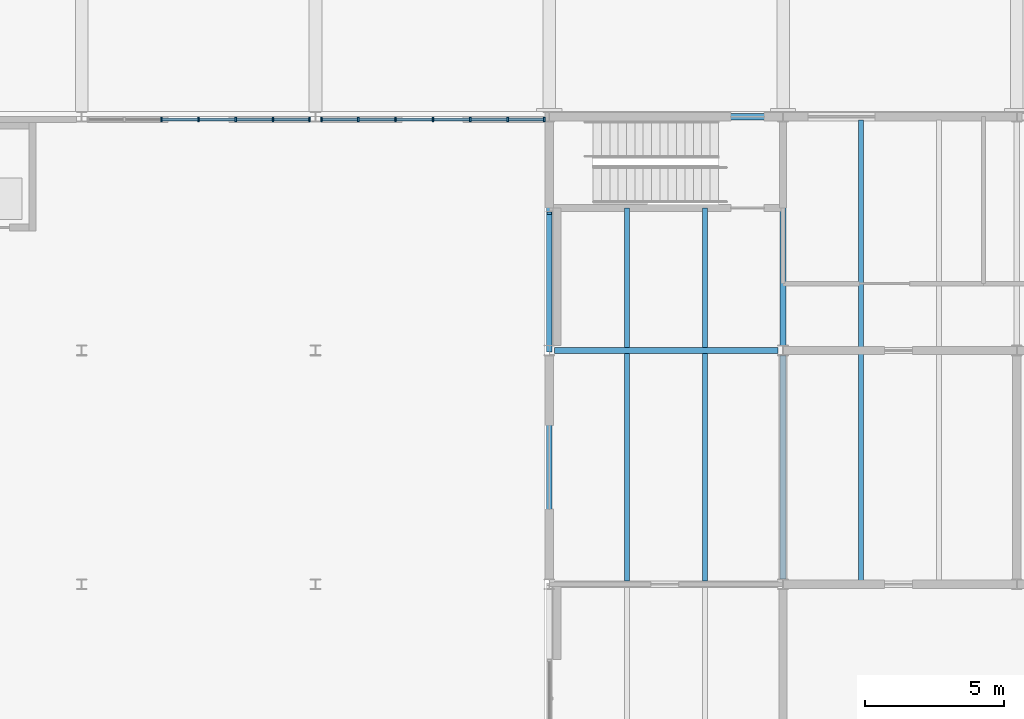
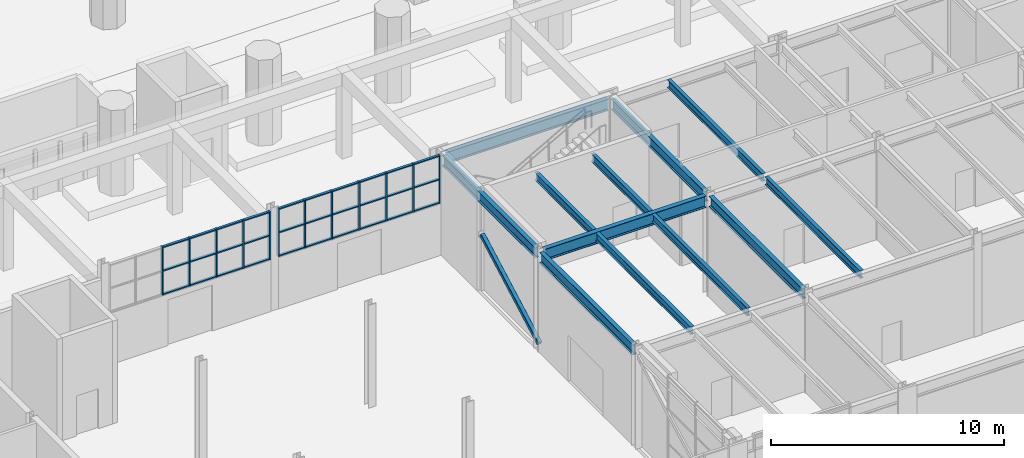
# One storey, part 42 of 127: 43 members, 12 beams, 2 elements without a shape of their own.
"""IFC4 building model written with IfcOpenShell, lengths in metres."""

from ifc_helpers import new_model, si_unit, direction, frame, origin, origin_2d, place, context, subcontext, project, spatial, rectangle, hollow_rectangle, i_section, extrude, material, material_profile, profile_set, type_object, element, aggregate, save


model = new_model("IFC4")

# Units and contexts
model_context = context("Model", 3, precision=1e-05, world=origin(), true_north=direction((0.0, 1.0)))
body_context = subcontext(model_context, "Body", "Model", "MODEL_VIEW")
ifc_project = project(units=[si_unit("LENGTHUNIT", "METRE"), si_unit("AREAUNIT", "SQUARE_METRE"), si_unit("VOLUMEUNIT", "CUBIC_METRE"), si_unit("PLANEANGLEUNIT", "RADIAN"), si_unit("MASSUNIT", "GRAM", prefix="KILO")], contexts=[model_context])

# Site, building, storey
site_placement = place(None, origin())
site = spatial("IfcSite", under=ifc_project, at=site_placement, CompositionType="ELEMENT")
building_placement = place(site_placement, origin())
building = spatial("IfcBuilding", under=site, at=building_placement, Name="Ljudholm Concert House", CompositionType="ELEMENT")
storey_placement = place(building_placement, origin())
storey = spatial("IfcBuildingStorey", under=building, at=storey_placement, Name="L00", CompositionType="ELEMENT", Elevation=0.0)

# Curtain wall, members
ifc_material_1 = material(Name="Aluminium curtain wall with impact-rated laminated glass", Category="aluminium")
curtain_wall_type = type_object("IfcCurtainWallType", Name="CURTAIN WALL 1400", PredefinedType="NOTDEFINED", material=ifc_material_1)
curtain_wall_1_placement = place(storey_placement, origin())
curtain_wall_1 = element("IfcCurtainWall", 1, at=curtain_wall_1_placement, inside=storey, type_object=curtain_wall_type, Name="North curtain wall", PredefinedType="NOTDEFINED")
ifc_material_2 = material(Name="Aluminium extrusion", Category="aluminium")
ifc_material_profile_1 = material_profile(ifc_material_2, rectangle(XDim=0.159912109375, YDim=0.06005859375, at=origin_2d()), Name="MULLION 60x160")
ifc_profile_set_1 = profile_set([ifc_material_profile_1], Name="Aluminium extrusion")
member_type_1 = type_object("IfcMemberType", Name="MULLION 60x160", PredefinedType="MULLION", material=ifc_profile_set_1)
member_1_placement = place(storey_placement, frame((40.46337890625, 129.89990234375, 2.699951171875), z_axis=(0.0, 0.0, 1.0), x_axis=(0.0, 1.0, 0.0)))
member_1 = element("IfcMember", 2, at=member_1_placement, type_object=member_type_1, Name="Mullion", PredefinedType="MULLION", context=body_context, shape_type="SweptSolid", body=[
    extrude(rectangle(XDim=0.159912109375, YDim=0.06005859375, at=origin_2d()), origin(), (0.0, 0.0, 1.0), 2.52001953125),
])
member_2_placement = place(storey_placement, frame((41.800048828125, 129.89990234375, 2.699951171875), z_axis=(0.0, 0.0, 1.0), x_axis=(0.0, 1.0, 0.0)))
member_2 = element("IfcMember", 3, at=member_2_placement, type_object=member_type_1, Name="Mullion", PredefinedType="MULLION", context=body_context, shape_type="SweptSolid", body=[
    extrude(rectangle(XDim=0.159912109375, YDim=0.06005859375, at=origin_2d()), origin(), (0.0, 0.0, 1.0), 2.52001953125),
])
member_3_placement = place(storey_placement, frame((43.13671875, 129.89990234375, 2.699951171875), z_axis=(0.0, 0.0, 1.0), x_axis=(0.0, 1.0, 0.0)))
member_3 = element("IfcMember", 4, at=member_3_placement, type_object=member_type_1, Name="Mullion", PredefinedType="MULLION", context=body_context, shape_type="SweptSolid", body=[
    extrude(rectangle(XDim=0.159912109375, YDim=0.06005859375, at=origin_2d()), origin(), (0.0, 0.0, 1.0), 2.52001953125),
])
member_4_placement = place(storey_placement, frame((44.473388671875, 129.89990234375, 2.699951171875), z_axis=(0.0, 0.0, 1.0), x_axis=(0.0, 1.0, 0.0)))
member_4 = element("IfcMember", 5, at=member_4_placement, type_object=member_type_1, Name="Mullion", PredefinedType="MULLION", context=body_context, shape_type="SweptSolid", body=[
    extrude(rectangle(XDim=0.159912109375, YDim=0.06005859375, at=origin_2d()), origin(), (0.0, 0.0, 1.0), 2.52001953125),
])
member_5_placement = place(storey_placement, frame((45.780029296875, 129.89990234375, 2.699951171875), z_axis=(0.0, 0.0, 1.0), x_axis=(0.0, 1.0, 0.0)))
member_5 = element("IfcMember", 6, at=member_5_placement, type_object=member_type_1, Name="Mullion", PredefinedType="MULLION", context=body_context, shape_type="SweptSolid", body=[
    extrude(rectangle(XDim=0.159912109375, YDim=0.06005859375, at=origin_2d()), origin(), (0.0, 0.0, 1.0), 2.52001953125),
])

curtain_wall_2_placement = place(storey_placement, origin())
curtain_wall_2 = element("IfcCurtainWall", 7, at=curtain_wall_2_placement, inside=storey, type_object=curtain_wall_type, Name="North curtain wall", PredefinedType="NOTDEFINED")
member_6_placement = place(storey_placement, frame((46.219970703125, 129.89990234375, 2.699951171875), z_axis=(0.0, 0.0, 1.0), x_axis=(0.0, 1.0, 0.0)))
member_6 = element("IfcMember", 8, at=member_6_placement, type_object=member_type_1, Name="Mullion", PredefinedType="MULLION", context=body_context, shape_type="SweptSolid", body=[
    extrude(rectangle(XDim=0.159912109375, YDim=0.06005859375, at=origin_2d()), origin(), (0.0, 0.0, 1.0), 2.52001953125),
])
member_7_placement = place(storey_placement, frame((47.533447265625, 129.89990234375, 2.699951171875), z_axis=(0.0, 0.0, 1.0), x_axis=(0.0, 1.0, 0.0)))
member_7 = element("IfcMember", 9, at=member_7_placement, type_object=member_type_1, Name="Mullion", PredefinedType="MULLION", context=body_context, shape_type="SweptSolid", body=[
    extrude(rectangle(XDim=0.159912109375, YDim=0.06005859375, at=origin_2d()), origin(), (0.0, 0.0, 1.0), 2.52001953125),
])
member_8_placement = place(storey_placement, frame((48.876708984375, 129.89990234375, 2.699951171875), z_axis=(0.0, 0.0, 1.0), x_axis=(0.0, 1.0, 0.0)))
member_8 = element("IfcMember", 10, at=member_8_placement, type_object=member_type_1, Name="Mullion", PredefinedType="MULLION", context=body_context, shape_type="SweptSolid", body=[
    extrude(rectangle(XDim=0.159912109375, YDim=0.06005859375, at=origin_2d()), origin(), (0.0, 0.0, 1.0), 2.52001953125),
])
member_9_placement = place(storey_placement, frame((50.219970703125, 129.89990234375, 2.699951171875), z_axis=(0.0, 0.0, 1.0), x_axis=(0.0, 1.0, 0.0)))
member_9 = element("IfcMember", 11, at=member_9_placement, type_object=member_type_1, Name="Mullion", PredefinedType="MULLION", context=body_context, shape_type="SweptSolid", body=[
    extrude(rectangle(XDim=0.159912109375, YDim=0.06005859375, at=origin_2d()), origin(), (0.0, 0.0, 1.0), 2.52001953125),
])
member_10_placement = place(storey_placement, frame((51.563232421875, 129.89990234375, 2.699951171875), z_axis=(0.0, 0.0, 1.0), x_axis=(0.0, 1.0, 0.0)))
member_10 = element("IfcMember", 12, at=member_10_placement, type_object=member_type_1, Name="Mullion", PredefinedType="MULLION", context=body_context, shape_type="SweptSolid", body=[
    extrude(rectangle(XDim=0.159912109375, YDim=0.06005859375, at=origin_2d()), origin(), (0.0, 0.0, 1.0), 2.52001953125),
])
member_11_placement = place(storey_placement, frame((52.90673828125, 129.89990234375, 2.699951171875), z_axis=(0.0, 0.0, 1.0), x_axis=(0.0, 1.0, 0.0)))
member_11 = element("IfcMember", 13, at=member_11_placement, type_object=member_type_1, Name="Mullion", PredefinedType="MULLION", context=body_context, shape_type="SweptSolid", body=[
    extrude(rectangle(XDim=0.159912109375, YDim=0.06005859375, at=origin_2d()), origin(), (0.0, 0.0, 1.0), 2.52001953125),
])
member_12_placement = place(storey_placement, frame((54.219970703125, 129.89990234375, 2.699951171875), z_axis=(0.0, 0.0, 1.0), x_axis=(0.0, 1.0, 0.0)))
member_12 = element("IfcMember", 14, at=member_12_placement, type_object=member_type_1, Name="Mullion", PredefinedType="MULLION", context=body_context, shape_type="SweptSolid", body=[
    extrude(rectangle(XDim=0.159912109375, YDim=0.06005859375, at=origin_2d()), origin(), (0.0, 0.0, 1.0), 2.52001953125),
])

# Beams
ifc_material_3 = material(Name="Steel ASTM A992", Category="steel")
ifc_material_profile_2 = material_profile(ifc_material_3, i_section(OverallWidth=0.177734375, OverallDepth=0.406494140625, WebThickness=0.0078125, FlangeThickness=0.012939453125, FilletRadius=0.01025390625, at=origin_2d()), Name="W16X40")
ifc_profile_set_2 = profile_set([ifc_material_profile_2], Name="Steel ASTM A992")
beam_type_1 = type_object("IfcBeamType", Name="STEEL BEAM W16X40", PredefinedType="BEAM", material=ifc_profile_set_2)
for number, where, z_axis, x_axis, name in (
    (15, (57.199951171875, 113.314453125, 5.016845703125), (0.0, 1.0, 0.0), (-1.0, 0.0, 0.0), "Beam STUDIO-L01-sb-57.2-113.2"),
    (16, (60.0, 113.314453125, 5.016845703125), (0.0, 1.0, 0.0), (-1.0, 0.0, 0.0), "Beam STUDIO-L01-sb-60-113.2"),
):
    element("IfcBeam", number, at=place(storey_placement, frame(where, z_axis=z_axis, x_axis=x_axis)), inside=storey, type_object=beam_type_1, Name=name, PredefinedType="BEAM", context=body_context, shape_type="SweptSolid", body=[
        extrude(i_section(OverallWidth=0.177734375, OverallDepth=0.406494140625, WebThickness=0.0078125, FlangeThickness=0.012939453125, FilletRadius=0.01025390625, at=origin_2d()), origin(), (0.0, 0.0, 1.0), 8.1708984375),
    ])
for number, where, z_axis, x_axis, name in (
    (17, (57.199951171875, 121.714599609375, 5.016845703125), (0.0, 1.0, 0.0), (-1.0, 0.0, 0.0), "Beam STUDIO-L01-sb-57.2-121.6-1"),
    (18, (60.0, 121.714599609375, 5.016845703125), (0.0, 1.0, 0.0), (-1.0, 0.0, 0.0), "Beam STUDIO-L01-sb-60-121.6-1"),
):
    element("IfcBeam", number, at=place(storey_placement, frame(where, z_axis=z_axis, x_axis=x_axis)), inside=storey, type_object=beam_type_1, Name=name, PredefinedType="BEAM", context=body_context, shape_type="SweptSolid", body=[
        extrude(i_section(OverallWidth=0.177734375, OverallDepth=0.406494140625, WebThickness=0.0078125, FlangeThickness=0.012939453125, FilletRadius=0.01025390625, at=origin_2d()), origin(), (0.0, 0.0, 1.0), 5.010498046875),
    ])
for number, where, z_axis, x_axis, name in (
    (19, (65.60009765625, 113.314453125, 5.016845703125), (0.0, 1.0, 0.0), (-1.0, 0.0, 0.0), "Beam STUDIO-L01-sb-65.6-113.2"),
    (20, (65.60009765625, 121.714599609375, 5.016845703125), (0.0, 1.0, 0.0), (-1.0, 0.0, 0.0), "Beam STUDIO-L01-sb-65.6-121.6"),
):
    element("IfcBeam", number, at=place(storey_placement, frame(where, z_axis=z_axis, x_axis=x_axis)), inside=storey, type_object=beam_type_1, Name=name, PredefinedType="BEAM", context=body_context, shape_type="SweptSolid", body=[
        extrude(i_section(OverallWidth=0.177734375, OverallDepth=0.406494140625, WebThickness=0.0078125, FlangeThickness=0.012939453125, FilletRadius=0.01025390625, at=origin_2d()), origin(), (0.0, 0.0, 1.0), 8.1708984375),
    ])
ifc_material_4 = material(Name="Steel ASTM A992", Category="steel")
ifc_material_profile_3 = material_profile(ifc_material_4, i_section(OverallWidth=0.209228515625, OverallDepth=0.533447265625, WebThickness=0.01025390625, FlangeThickness=0.015625, FilletRadius=0.012939453125, at=origin_2d()), Name="W21X62")
ifc_profile_set_3 = profile_set([ifc_material_profile_3], Name="Steel ASTM A992")
beam_type_2 = type_object("IfcBeamType", Name="STEEL BEAM W21X62", PredefinedType="BEAM", material=ifc_profile_set_3)
for number, where, z_axis, x_axis, name in (
    (21, (54.39990234375, 113.38671875, 4.953369140625), (0.0, 1.0, 0.0), (-1.0, 0.0, 0.0), "Beam STUDIO-L01-gy-54.4-113.2"),
    (22, (54.39990234375, 121.78662109375, 4.953369140625), (0.0, 1.0, 0.0), (-1.0, 0.0, 0.0), "Beam STUDIO-L01-gy-54.4-121.6"),
    (23, (62.800048828125, 113.38671875, 4.953369140625), (0.0, 1.0, 0.0), (-1.0, 0.0, 0.0), "Beam STUDIO-L01-gy-62.8-113.2"),
    (24, (62.800048828125, 121.78662109375, 4.953369140625), (0.0, 1.0, 0.0), (-1.0, 0.0, 0.0), "Beam STUDIO-L01-gy-62.8-121.6"),
):
    element("IfcBeam", number, at=place(storey_placement, frame(where, z_axis=z_axis, x_axis=x_axis)), inside=storey, type_object=beam_type_2, Name=name, PredefinedType="BEAM", context=body_context, shape_type="SweptSolid", body=[
        extrude(i_section(OverallWidth=0.209228515625, OverallDepth=0.533447265625, WebThickness=0.01025390625, FlangeThickness=0.015625, FilletRadius=0.012939453125, at=origin_2d()), origin(), (0.0, 0.0, 1.0), 8.026611328125),
    ])
ifc_material_5 = material(Name="Steel ASTM A992", Category="steel")
ifc_material_profile_4 = material_profile(ifc_material_5, i_section(OverallWidth=0.22900390625, OverallDepth=0.612060546875, WebThickness=0.011962890625, FlangeThickness=0.01953125, FilletRadius=0.0126953125, at=origin_2d()), Name="W24X84")
ifc_profile_set_4 = profile_set([ifc_material_profile_4], Name="Steel ASTM A992")
beam_type_3 = type_object("IfcBeamType", Name="STEEL BEAM W24X84", PredefinedType="BEAM", material=ifc_profile_set_4)
for number, where, z_axis, x_axis, name in (
    (25, (54.586669921875, 121.60009765625, 4.913818359375), (1.0, 0.0, 0.0), (0.0, 1.0, 0.0), "Beam STUDIO-L01-gx-54.4-121.6"),
    (26, (54.586669921875, 130.0, 4.913818359375), (1.0, 0.0, 0.0), (0.0, 1.0, 0.0), "Beam STUDIO-L01-gx-54.4-130"),
):
    element("IfcBeam", number, at=place(storey_placement, frame(where, z_axis=z_axis, x_axis=x_axis)), inside=storey, type_object=beam_type_3, Name=name, PredefinedType="BEAM", context=body_context, shape_type="SweptSolid", body=[
        extrude(i_section(OverallWidth=0.22900390625, OverallDepth=0.612060546875, WebThickness=0.011962890625, FlangeThickness=0.01953125, FilletRadius=0.0126953125, at=origin_2d()), origin(), (0.0, 0.0, 1.0), 8.026611328125),
    ])

# Member
ifc_material_6 = material(Name="Steel ASTM A500 Gr. C", Category="steel")
ifc_material_profile_5 = material_profile(ifc_material_6, hollow_rectangle(XDim=0.203125, YDim=0.203125, WallThickness=0.01171875, InnerFilletRadius=0.005859375, OuterFilletRadius=0.017822265625, at=origin_2d()), Name="HSS8X8X1/2")
ifc_profile_set_5 = profile_set([ifc_material_profile_5], Name="Steel ASTM A500 Gr. C")
member_type_2 = type_object("IfcMemberType", Name="STEEL MEMBER HSS8X8X1/2 BRACE", PredefinedType="BRACE", material=ifc_profile_set_5)
member_13_placement = place(storey_placement, frame((54.39990234375, 121.60009765625, 0.300048828125), z_axis=(0.0, 0.876210417482, 0.481928733628), x_axis=(-1.0, 0.0, 0.0)))
element("IfcMember", 27, at=member_13_placement, inside=storey, type_object=member_type_2, Name="Brace", PredefinedType="BRACE", context=body_context, shape_type="SweptSolid", body=[
    extrude(hollow_rectangle(XDim=0.203125, YDim=0.203125, WallThickness=0.01171875, InnerFilletRadius=0.005859375, OuterFilletRadius=0.017822265625, at=origin_2d()), origin(), (0.0, 0.0, 1.0), 5.63232421875),
])

ifc_material_7 = material(Name="Aluminium extrusion", Category="aluminium")
ifc_material_profile_6 = material_profile(ifc_material_7, rectangle(XDim=0.1201171875, YDim=0.06005859375, at=origin_2d()), Name="TRANSOM 60x120")
ifc_profile_set_6 = profile_set([ifc_material_profile_6], Name="Aluminium extrusion")
member_type_3 = type_object("IfcMemberType", Name="TRANSOM 60x120", PredefinedType="USERDEFINED", material=ifc_profile_set_6)
member_14_placement = place(storey_placement, frame((40.493408203125, 129.89990234375, 2.72998046875), z_axis=(1.0, 0.0, 0.0), x_axis=(0.0, 1.0, 0.0)))
member_14 = element("IfcMember", 28, at=member_14_placement, type_object=member_type_3, Name="Transom", ObjectType="TRANSOM", PredefinedType="USERDEFINED", context=body_context, shape_type="SweptSolid", body=[
    extrude(rectangle(XDim=0.1201171875, YDim=0.06005859375, at=origin_2d()), origin(), (0.0, 0.0, 1.0), 1.276611328125),
])

member_15_placement = place(storey_placement, frame((40.493408203125, 129.89990234375, 3.9599609375), z_axis=(1.0, 0.0, 0.0), x_axis=(0.0, 1.0, 0.0)))
member_15 = element("IfcMember", 29, at=member_15_placement, type_object=member_type_3, Name="Transom", ObjectType="TRANSOM", PredefinedType="USERDEFINED", context=body_context, shape_type="SweptSolid", body=[
    extrude(rectangle(XDim=0.1201171875, YDim=0.06005859375, at=origin_2d()), origin(), (0.0, 0.0, 1.0), 1.276611328125),
])

member_16_placement = place(storey_placement, frame((40.493408203125, 129.89990234375, 5.18994140625), z_axis=(1.0, 0.0, 0.0), x_axis=(0.0, 1.0, 0.0)))
member_16 = element("IfcMember", 30, at=member_16_placement, type_object=member_type_3, Name="Transom", ObjectType="TRANSOM", PredefinedType="USERDEFINED", context=body_context, shape_type="SweptSolid", body=[
    extrude(rectangle(XDim=0.1201171875, YDim=0.06005859375, at=origin_2d()), origin(), (0.0, 0.0, 1.0), 1.276611328125),
])

member_17_placement = place(storey_placement, frame((41.830078125, 129.89990234375, 2.72998046875), z_axis=(1.0, 0.0, 0.0), x_axis=(0.0, 1.0, 0.0)))
member_17 = element("IfcMember", 31, at=member_17_placement, type_object=member_type_3, Name="Transom", ObjectType="TRANSOM", PredefinedType="USERDEFINED", context=body_context, shape_type="SweptSolid", body=[
    extrude(rectangle(XDim=0.1201171875, YDim=0.06005859375, at=origin_2d()), origin(), (0.0, 0.0, 1.0), 1.276611328125),
])

member_18_placement = place(storey_placement, frame((41.830078125, 129.89990234375, 3.9599609375), z_axis=(1.0, 0.0, 0.0), x_axis=(0.0, 1.0, 0.0)))
member_18 = element("IfcMember", 32, at=member_18_placement, type_object=member_type_3, Name="Transom", ObjectType="TRANSOM", PredefinedType="USERDEFINED", context=body_context, shape_type="SweptSolid", body=[
    extrude(rectangle(XDim=0.1201171875, YDim=0.06005859375, at=origin_2d()), origin(), (0.0, 0.0, 1.0), 1.276611328125),
])

member_19_placement = place(storey_placement, frame((41.830078125, 129.89990234375, 5.18994140625), z_axis=(1.0, 0.0, 0.0), x_axis=(0.0, 1.0, 0.0)))
member_19 = element("IfcMember", 33, at=member_19_placement, type_object=member_type_3, Name="Transom", ObjectType="TRANSOM", PredefinedType="USERDEFINED", context=body_context, shape_type="SweptSolid", body=[
    extrude(rectangle(XDim=0.1201171875, YDim=0.06005859375, at=origin_2d()), origin(), (0.0, 0.0, 1.0), 1.276611328125),
])

member_20_placement = place(storey_placement, frame((43.166748046875, 129.89990234375, 2.72998046875), z_axis=(1.0, 0.0, 0.0), x_axis=(0.0, 1.0, 0.0)))
member_20 = element("IfcMember", 34, at=member_20_placement, type_object=member_type_3, Name="Transom", ObjectType="TRANSOM", PredefinedType="USERDEFINED", context=body_context, shape_type="SweptSolid", body=[
    extrude(rectangle(XDim=0.1201171875, YDim=0.06005859375, at=origin_2d()), origin(), (0.0, 0.0, 1.0), 1.276611328125),
])

member_21_placement = place(storey_placement, frame((43.166748046875, 129.89990234375, 3.9599609375), z_axis=(1.0, 0.0, 0.0), x_axis=(0.0, 1.0, 0.0)))
member_21 = element("IfcMember", 35, at=member_21_placement, type_object=member_type_3, Name="Transom", ObjectType="TRANSOM", PredefinedType="USERDEFINED", context=body_context, shape_type="SweptSolid", body=[
    extrude(rectangle(XDim=0.1201171875, YDim=0.06005859375, at=origin_2d()), origin(), (0.0, 0.0, 1.0), 1.276611328125),
])

member_22_placement = place(storey_placement, frame((43.166748046875, 129.89990234375, 5.18994140625), z_axis=(1.0, 0.0, 0.0), x_axis=(0.0, 1.0, 0.0)))
member_22 = element("IfcMember", 36, at=member_22_placement, type_object=member_type_3, Name="Transom", ObjectType="TRANSOM", PredefinedType="USERDEFINED", context=body_context, shape_type="SweptSolid", body=[
    extrude(rectangle(XDim=0.1201171875, YDim=0.06005859375, at=origin_2d()), origin(), (0.0, 0.0, 1.0), 1.276611328125),
])

member_23_placement = place(storey_placement, frame((44.50341796875, 129.89990234375, 2.72998046875), z_axis=(1.0, 0.0, 0.0), x_axis=(0.0, 1.0, 0.0)))
member_23 = element("IfcMember", 37, at=member_23_placement, type_object=member_type_3, Name="Transom", ObjectType="TRANSOM", PredefinedType="USERDEFINED", context=body_context, shape_type="SweptSolid", body=[
    extrude(rectangle(XDim=0.1201171875, YDim=0.06005859375, at=origin_2d()), origin(), (0.0, 0.0, 1.0), 1.24658203125),
])

member_24_placement = place(storey_placement, frame((44.50341796875, 129.89990234375, 3.9599609375), z_axis=(1.0, 0.0, 0.0), x_axis=(0.0, 1.0, 0.0)))
member_24 = element("IfcMember", 38, at=member_24_placement, type_object=member_type_3, Name="Transom", ObjectType="TRANSOM", PredefinedType="USERDEFINED", context=body_context, shape_type="SweptSolid", body=[
    extrude(rectangle(XDim=0.1201171875, YDim=0.06005859375, at=origin_2d()), origin(), (0.0, 0.0, 1.0), 1.24658203125),
])

member_25_placement = place(storey_placement, frame((44.50341796875, 129.89990234375, 5.18994140625), z_axis=(1.0, 0.0, 0.0), x_axis=(0.0, 1.0, 0.0)))
member_25 = element("IfcMember", 39, at=member_25_placement, type_object=member_type_3, Name="Transom", ObjectType="TRANSOM", PredefinedType="USERDEFINED", context=body_context, shape_type="SweptSolid", body=[
    extrude(rectangle(XDim=0.1201171875, YDim=0.06005859375, at=origin_2d()), origin(), (0.0, 0.0, 1.0), 1.24658203125),
])

aggregate(curtain_wall_1, [member_1, member_2, member_3, member_4, member_5, member_14, member_15, member_16, member_17, member_18, member_19, member_20, member_21, member_22, member_23, member_24, member_25])

member_26_placement = place(storey_placement, frame((46.25, 129.89990234375, 2.72998046875), z_axis=(1.0, 0.0, 0.0), x_axis=(0.0, 1.0, 0.0)))
member_26 = element("IfcMember", 40, at=member_26_placement, type_object=member_type_3, Name="Transom", ObjectType="TRANSOM", PredefinedType="USERDEFINED", context=body_context, shape_type="SweptSolid", body=[
    extrude(rectangle(XDim=0.1201171875, YDim=0.06005859375, at=origin_2d()), origin(), (0.0, 0.0, 1.0), 1.25341796875),
])

member_27_placement = place(storey_placement, frame((46.25, 129.89990234375, 3.9599609375), z_axis=(1.0, 0.0, 0.0), x_axis=(0.0, 1.0, 0.0)))
member_27 = element("IfcMember", 41, at=member_27_placement, type_object=member_type_3, Name="Transom", ObjectType="TRANSOM", PredefinedType="USERDEFINED", context=body_context, shape_type="SweptSolid", body=[
    extrude(rectangle(XDim=0.1201171875, YDim=0.06005859375, at=origin_2d()), origin(), (0.0, 0.0, 1.0), 1.25341796875),
])

member_28_placement = place(storey_placement, frame((46.25, 129.89990234375, 5.18994140625), z_axis=(1.0, 0.0, 0.0), x_axis=(0.0, 1.0, 0.0)))
member_28 = element("IfcMember", 42, at=member_28_placement, type_object=member_type_3, Name="Transom", ObjectType="TRANSOM", PredefinedType="USERDEFINED", context=body_context, shape_type="SweptSolid", body=[
    extrude(rectangle(XDim=0.1201171875, YDim=0.06005859375, at=origin_2d()), origin(), (0.0, 0.0, 1.0), 1.25341796875),
])

member_29_placement = place(storey_placement, frame((47.563232421875, 129.89990234375, 2.72998046875), z_axis=(1.0, 0.0, 0.0), x_axis=(0.0, 1.0, 0.0)))
member_29 = element("IfcMember", 43, at=member_29_placement, type_object=member_type_3, Name="Transom", ObjectType="TRANSOM", PredefinedType="USERDEFINED", context=body_context, shape_type="SweptSolid", body=[
    extrude(rectangle(XDim=0.1201171875, YDim=0.06005859375, at=origin_2d()), origin(), (0.0, 0.0, 1.0), 1.283447265625),
])

member_30_placement = place(storey_placement, frame((47.563232421875, 129.89990234375, 3.9599609375), z_axis=(1.0, 0.0, 0.0), x_axis=(0.0, 1.0, 0.0)))
member_30 = element("IfcMember", 44, at=member_30_placement, type_object=member_type_3, Name="Transom", ObjectType="TRANSOM", PredefinedType="USERDEFINED", context=body_context, shape_type="SweptSolid", body=[
    extrude(rectangle(XDim=0.1201171875, YDim=0.06005859375, at=origin_2d()), origin(), (0.0, 0.0, 1.0), 1.283447265625),
])

member_31_placement = place(storey_placement, frame((47.563232421875, 129.89990234375, 5.18994140625), z_axis=(1.0, 0.0, 0.0), x_axis=(0.0, 1.0, 0.0)))
member_31 = element("IfcMember", 45, at=member_31_placement, type_object=member_type_3, Name="Transom", ObjectType="TRANSOM", PredefinedType="USERDEFINED", context=body_context, shape_type="SweptSolid", body=[
    extrude(rectangle(XDim=0.1201171875, YDim=0.06005859375, at=origin_2d()), origin(), (0.0, 0.0, 1.0), 1.283447265625),
])

member_32_placement = place(storey_placement, frame((48.90673828125, 129.89990234375, 2.72998046875), z_axis=(1.0, 0.0, 0.0), x_axis=(0.0, 1.0, 0.0)))
member_32 = element("IfcMember", 46, at=member_32_placement, type_object=member_type_3, Name="Transom", ObjectType="TRANSOM", PredefinedType="USERDEFINED", context=body_context, shape_type="SweptSolid", body=[
    extrude(rectangle(XDim=0.1201171875, YDim=0.06005859375, at=origin_2d()), origin(), (0.0, 0.0, 1.0), 1.283203125),
])

member_33_placement = place(storey_placement, frame((48.90673828125, 129.89990234375, 3.9599609375), z_axis=(1.0, 0.0, 0.0), x_axis=(0.0, 1.0, 0.0)))
member_33 = element("IfcMember", 47, at=member_33_placement, type_object=member_type_3, Name="Transom", ObjectType="TRANSOM", PredefinedType="USERDEFINED", context=body_context, shape_type="SweptSolid", body=[
    extrude(rectangle(XDim=0.1201171875, YDim=0.06005859375, at=origin_2d()), origin(), (0.0, 0.0, 1.0), 1.283203125),
])

member_34_placement = place(storey_placement, frame((48.90673828125, 129.89990234375, 5.18994140625), z_axis=(1.0, 0.0, 0.0), x_axis=(0.0, 1.0, 0.0)))
member_34 = element("IfcMember", 48, at=member_34_placement, type_object=member_type_3, Name="Transom", ObjectType="TRANSOM", PredefinedType="USERDEFINED", context=body_context, shape_type="SweptSolid", body=[
    extrude(rectangle(XDim=0.1201171875, YDim=0.06005859375, at=origin_2d()), origin(), (0.0, 0.0, 1.0), 1.283203125),
])

member_35_placement = place(storey_placement, frame((50.25, 129.89990234375, 2.72998046875), z_axis=(1.0, 0.0, 0.0), x_axis=(0.0, 1.0, 0.0)))
member_35 = element("IfcMember", 49, at=member_35_placement, type_object=member_type_3, Name="Transom", ObjectType="TRANSOM", PredefinedType="USERDEFINED", context=body_context, shape_type="SweptSolid", body=[
    extrude(rectangle(XDim=0.1201171875, YDim=0.06005859375, at=origin_2d()), origin(), (0.0, 0.0, 1.0), 1.283447265625),
])

member_36_placement = place(storey_placement, frame((50.25, 129.89990234375, 3.9599609375), z_axis=(1.0, 0.0, 0.0), x_axis=(0.0, 1.0, 0.0)))
member_36 = element("IfcMember", 50, at=member_36_placement, type_object=member_type_3, Name="Transom", ObjectType="TRANSOM", PredefinedType="USERDEFINED", context=body_context, shape_type="SweptSolid", body=[
    extrude(rectangle(XDim=0.1201171875, YDim=0.06005859375, at=origin_2d()), origin(), (0.0, 0.0, 1.0), 1.283447265625),
])

member_37_placement = place(storey_placement, frame((50.25, 129.89990234375, 5.18994140625), z_axis=(1.0, 0.0, 0.0), x_axis=(0.0, 1.0, 0.0)))
member_37 = element("IfcMember", 51, at=member_37_placement, type_object=member_type_3, Name="Transom", ObjectType="TRANSOM", PredefinedType="USERDEFINED", context=body_context, shape_type="SweptSolid", body=[
    extrude(rectangle(XDim=0.1201171875, YDim=0.06005859375, at=origin_2d()), origin(), (0.0, 0.0, 1.0), 1.283447265625),
])

member_38_placement = place(storey_placement, frame((51.59326171875, 129.89990234375, 2.72998046875), z_axis=(1.0, 0.0, 0.0), x_axis=(0.0, 1.0, 0.0)))
member_38 = element("IfcMember", 52, at=member_38_placement, type_object=member_type_3, Name="Transom", ObjectType="TRANSOM", PredefinedType="USERDEFINED", context=body_context, shape_type="SweptSolid", body=[
    extrude(rectangle(XDim=0.1201171875, YDim=0.06005859375, at=origin_2d()), origin(), (0.0, 0.0, 1.0), 1.283447265625),
])

member_39_placement = place(storey_placement, frame((51.59326171875, 129.89990234375, 3.9599609375), z_axis=(1.0, 0.0, 0.0), x_axis=(0.0, 1.0, 0.0)))
member_39 = element("IfcMember", 53, at=member_39_placement, type_object=member_type_3, Name="Transom", ObjectType="TRANSOM", PredefinedType="USERDEFINED", context=body_context, shape_type="SweptSolid", body=[
    extrude(rectangle(XDim=0.1201171875, YDim=0.06005859375, at=origin_2d()), origin(), (0.0, 0.0, 1.0), 1.283447265625),
])

member_40_placement = place(storey_placement, frame((51.59326171875, 129.89990234375, 5.18994140625), z_axis=(1.0, 0.0, 0.0), x_axis=(0.0, 1.0, 0.0)))
member_40 = element("IfcMember", 54, at=member_40_placement, type_object=member_type_3, Name="Transom", ObjectType="TRANSOM", PredefinedType="USERDEFINED", context=body_context, shape_type="SweptSolid", body=[
    extrude(rectangle(XDim=0.1201171875, YDim=0.06005859375, at=origin_2d()), origin(), (0.0, 0.0, 1.0), 1.283447265625),
])

member_41_placement = place(storey_placement, frame((52.936767578125, 129.89990234375, 2.72998046875), z_axis=(1.0, 0.0, 0.0), x_axis=(0.0, 1.0, 0.0)))
member_41 = element("IfcMember", 55, at=member_41_placement, type_object=member_type_3, Name="Transom", ObjectType="TRANSOM", PredefinedType="USERDEFINED", context=body_context, shape_type="SweptSolid", body=[
    extrude(rectangle(XDim=0.1201171875, YDim=0.06005859375, at=origin_2d()), origin(), (0.0, 0.0, 1.0), 1.253173828125),
])

member_42_placement = place(storey_placement, frame((52.936767578125, 129.89990234375, 3.9599609375), z_axis=(1.0, 0.0, 0.0), x_axis=(0.0, 1.0, 0.0)))
member_42 = element("IfcMember", 56, at=member_42_placement, type_object=member_type_3, Name="Transom", ObjectType="TRANSOM", PredefinedType="USERDEFINED", context=body_context, shape_type="SweptSolid", body=[
    extrude(rectangle(XDim=0.1201171875, YDim=0.06005859375, at=origin_2d()), origin(), (0.0, 0.0, 1.0), 1.253173828125),
])

member_43_placement = place(storey_placement, frame((52.936767578125, 129.89990234375, 5.18994140625), z_axis=(1.0, 0.0, 0.0), x_axis=(0.0, 1.0, 0.0)))
member_43 = element("IfcMember", 57, at=member_43_placement, type_object=member_type_3, Name="Transom", ObjectType="TRANSOM", PredefinedType="USERDEFINED", context=body_context, shape_type="SweptSolid", body=[
    extrude(rectangle(XDim=0.1201171875, YDim=0.06005859375, at=origin_2d()), origin(), (0.0, 0.0, 1.0), 1.253173828125),
])

aggregate(curtain_wall_2, [member_6, member_7, member_8, member_9, member_10, member_11, member_12, member_26, member_27, member_28, member_29, member_30, member_31, member_32, member_33, member_34, member_35, member_36, member_37, member_38, member_39, member_40, member_41, member_42, member_43])

save(model, "model.ifc")
